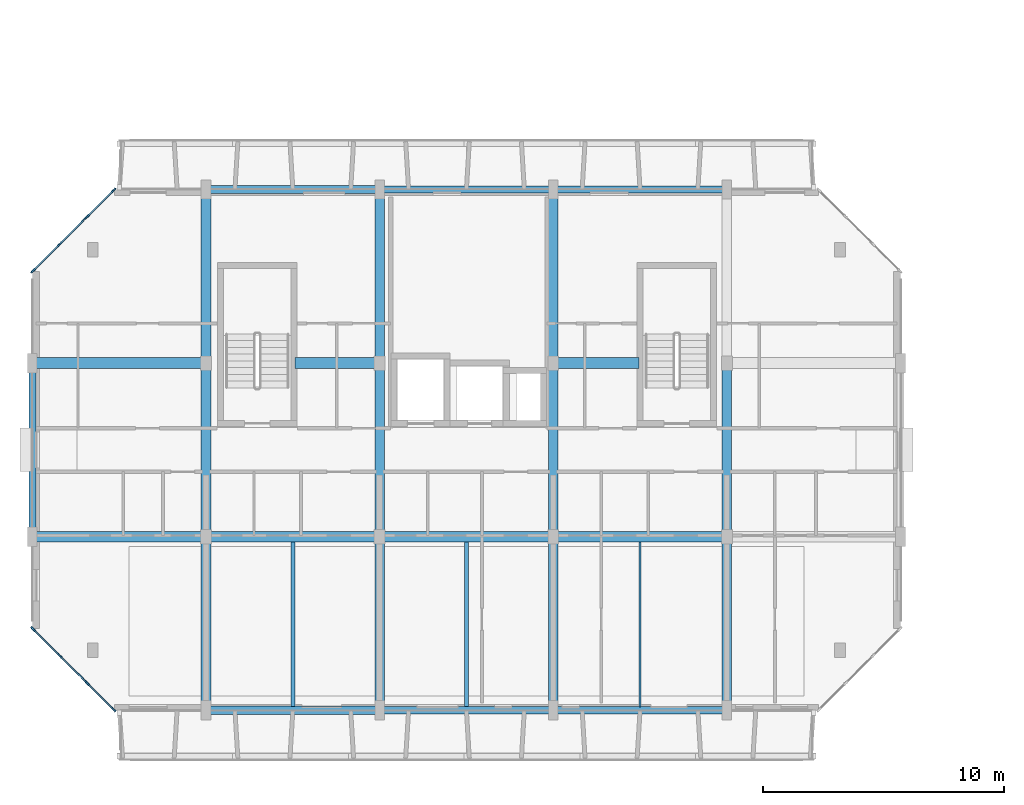
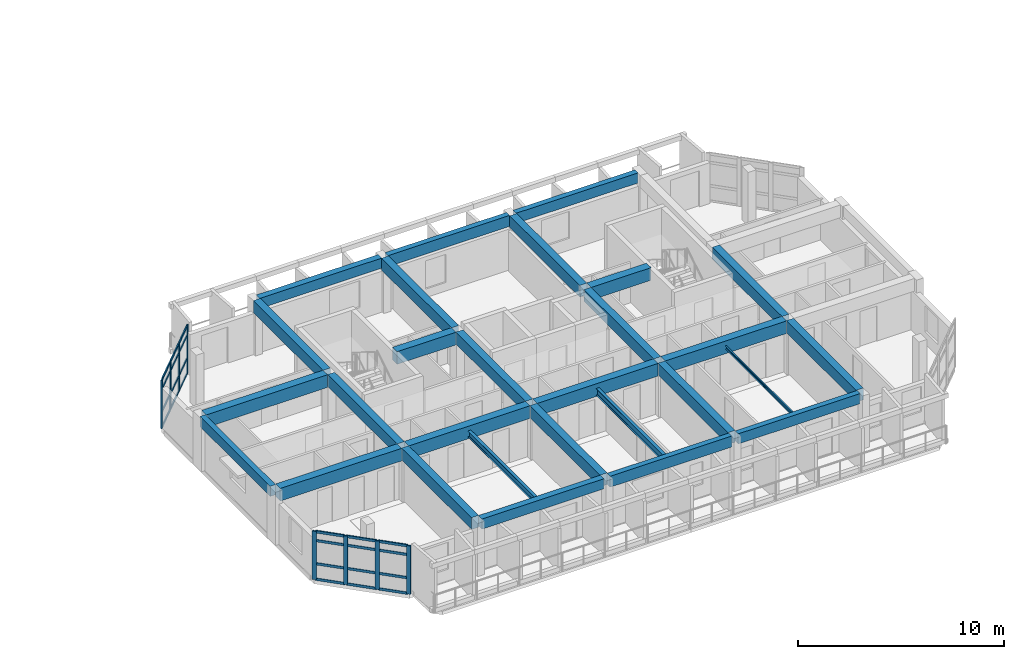
# One storey, part 3 of 45: 32 members, 28 beams, 2 elements without a shape of their own.
"""IFC4 building model written with IfcOpenShell, lengths in metres."""

from ifc_helpers import new_model, si_unit, direction, frame, origin, origin_2d, place, context, subcontext, project, spatial, rectangle, i_section, u_section, extrude, material, layer, layer_set, material_profile, profile_set, type_object, element, aggregate, save


model = new_model("IFC4")

# Units and contexts
model_context = context("Model", 3, precision=1e-05, world=origin(), true_north=direction((0.0, 1.0)))
body_context = subcontext(model_context, "Body", "Model", "MODEL_VIEW")
ifc_project = project(units=[si_unit("LENGTHUNIT", "METRE"), si_unit("AREAUNIT", "SQUARE_METRE"), si_unit("VOLUMEUNIT", "CUBIC_METRE"), si_unit("PLANEANGLEUNIT", "RADIAN"), si_unit("MASSUNIT", "GRAM", prefix="KILO")], contexts=[model_context])

# Site, building, storey
site_placement = place(None, origin())
site = spatial("IfcSite", under=ifc_project, at=site_placement, CompositionType="ELEMENT")
building_placement = place(site_placement, origin())
building = spatial("IfcBuilding", under=site, at=building_placement, Name="Ochrevale Crest", CompositionType="ELEMENT")
storey_placement = place(building_placement, frame((0.0, 0.0, 18.14990234375)))
storey = spatial("IfcBuildingStorey", under=building, at=storey_placement, Name="L05", CompositionType="ELEMENT", Elevation=18.14990234375)

# Beams
ifc_material_1 = material(Name="Precast concrete C50/60", Category="concrete")
ifc_material_profile_1 = material_profile(ifc_material_1, rectangle(XDim=0.39990234375, YDim=0.699951171875, at=origin_2d()), Name="PC 400x700")
ifc_profile_set_1 = profile_set([ifc_material_profile_1], Name="Precast concrete C50/60")
beam_type_1 = type_object("IfcBeamType", Name="BM-PC400x700", PredefinedType="BEAM", material=ifc_profile_set_1)
beam_1_placement = place(storey_placement, frame((7.199951171875, 14.580078125, 2.800048828125), z_axis=(0.0, 1.0, 0.0), x_axis=(-1.0, 0.0, 0.0)))
element("IfcBeam", 1, at=beam_1_placement, inside=storey, type_object=beam_type_1, Name="Block A L05 N-S beam X=7.2", PredefinedType="BEAM", context=body_context, shape_type="SweptSolid", body=[
    extrude(rectangle(XDim=0.39990234375, YDim=0.699951171875, at=origin_2d()), origin(), (0.0, 0.0, 1.0), 6.81494140625),
])
beam_2_placement = place(storey_placement, frame((7.199951171875, 21.804931640625, 2.800048828125), z_axis=(0.0, 1.0, 0.0), x_axis=(-1.0, 0.0, 0.0)))
element("IfcBeam", 2, at=beam_2_placement, inside=storey, type_object=beam_type_1, Name="Block A L05 N-S beam X=7.2", PredefinedType="BEAM", context=body_context, shape_type="SweptSolid", body=[
    extrude(rectangle(XDim=0.39990234375, YDim=0.699951171875, at=origin_2d()), origin(), (0.0, 0.0, 1.0), 6.7900390625),
])
beam_3_placement = place(storey_placement, frame((7.199951171875, 29.0048828125, 2.800048828125), z_axis=(0.0, 1.0, 0.0), x_axis=(-1.0, 0.0, 0.0)))
element("IfcBeam", 3, at=beam_3_placement, inside=storey, type_object=beam_type_1, Name="Block A L05 N-S beam X=7.2", PredefinedType="BEAM", context=body_context, shape_type="SweptSolid", body=[
    extrude(rectangle(XDim=0.39990234375, YDim=0.699951171875, at=origin_2d()), origin(), (0.0, 0.0, 1.0), 6.815185546875),
])
beam_4_placement = place(storey_placement, frame((14.39990234375, 14.580078125, 2.800048828125), z_axis=(0.0, 1.0, 0.0), x_axis=(-1.0, 0.0, 0.0)))
element("IfcBeam", 4, at=beam_4_placement, inside=storey, type_object=beam_type_1, Name="Block A L05 N-S beam X=14.4", PredefinedType="BEAM", context=body_context, shape_type="SweptSolid", body=[
    extrude(rectangle(XDim=0.39990234375, YDim=0.699951171875, at=origin_2d()), origin(), (0.0, 0.0, 1.0), 6.81494140625),
])
beam_5_placement = place(storey_placement, frame((14.39990234375, 21.804931640625, 2.800048828125), z_axis=(0.0, 1.0, 0.0), x_axis=(-1.0, 0.0, 0.0)))
element("IfcBeam", 5, at=beam_5_placement, inside=storey, type_object=beam_type_1, Name="Block A L05 N-S beam X=14.4", PredefinedType="BEAM", context=body_context, shape_type="SweptSolid", body=[
    extrude(rectangle(XDim=0.39990234375, YDim=0.699951171875, at=origin_2d()), origin(), (0.0, 0.0, 1.0), 6.7900390625),
])
beam_6_placement = place(storey_placement, frame((14.39990234375, 29.0048828125, 2.800048828125), z_axis=(0.0, 1.0, 0.0), x_axis=(-1.0, 0.0, 0.0)))
element("IfcBeam", 6, at=beam_6_placement, inside=storey, type_object=beam_type_1, Name="Block A L05 N-S beam X=14.4", PredefinedType="BEAM", context=body_context, shape_type="SweptSolid", body=[
    extrude(rectangle(XDim=0.39990234375, YDim=0.699951171875, at=origin_2d()), origin(), (0.0, 0.0, 1.0), 6.815185546875),
])
beam_7_placement = place(storey_placement, frame((21.60009765625, 14.580078125, 2.800048828125), z_axis=(0.0, 1.0, 0.0), x_axis=(-1.0, 0.0, 0.0)))
element("IfcBeam", 7, at=beam_7_placement, inside=storey, type_object=beam_type_1, Name="Block A L05 N-S beam X=21.6", PredefinedType="BEAM", context=body_context, shape_type="SweptSolid", body=[
    extrude(rectangle(XDim=0.39990234375, YDim=0.699951171875, at=origin_2d()), origin(), (0.0, 0.0, 1.0), 6.81494140625),
])
beam_8_placement = place(storey_placement, frame((21.60009765625, 21.804931640625, 2.800048828125), z_axis=(0.0, 1.0, 0.0), x_axis=(-1.0, 0.0, 0.0)))
element("IfcBeam", 8, at=beam_8_placement, inside=storey, type_object=beam_type_1, Name="Block A L05 N-S beam X=21.6", PredefinedType="BEAM", context=body_context, shape_type="SweptSolid", body=[
    extrude(rectangle(XDim=0.39990234375, YDim=0.699951171875, at=origin_2d()), origin(), (0.0, 0.0, 1.0), 6.7900390625),
])
beam_9_placement = place(storey_placement, frame((21.60009765625, 29.0048828125, 2.800048828125), z_axis=(0.0, 1.0, 0.0), x_axis=(-1.0, 0.0, 0.0)))
element("IfcBeam", 9, at=beam_9_placement, inside=storey, type_object=beam_type_1, Name="Block A L05 N-S beam X=21.6", PredefinedType="BEAM", context=body_context, shape_type="SweptSolid", body=[
    extrude(rectangle(XDim=0.39990234375, YDim=0.699951171875, at=origin_2d()), origin(), (0.0, 0.0, 1.0), 6.815185546875),
])
beam_10_placement = place(storey_placement, frame((28.800048828125, 14.580078125, 2.800048828125), z_axis=(0.0, 1.0, 0.0), x_axis=(-1.0, 0.0, 0.0)))
element("IfcBeam", 10, at=beam_10_placement, inside=storey, type_object=beam_type_1, Name="Block A L05 N-S beam X=28.8", PredefinedType="BEAM", context=body_context, shape_type="SweptSolid", body=[
    extrude(rectangle(XDim=0.39990234375, YDim=0.699951171875, at=origin_2d()), origin(), (0.0, 0.0, 1.0), 6.81494140625),
])
beam_11_placement = place(storey_placement, frame((28.800048828125, 21.804931640625, 2.800048828125), z_axis=(0.0, 1.0, 0.0), x_axis=(-1.0, 0.0, 0.0)))
element("IfcBeam", 11, at=beam_11_placement, inside=storey, type_object=beam_type_1, Name="Block A L05 N-S beam X=28.8", PredefinedType="BEAM", context=body_context, shape_type="SweptSolid", body=[
    extrude(rectangle(XDim=0.39990234375, YDim=0.699951171875, at=origin_2d()), origin(), (0.0, 0.0, 1.0), 6.7900390625),
])
ifc_material_2 = material(Name="Steel S355", Category="steel")
ifc_material_profile_2 = material_profile(ifc_material_2, u_section(Depth=0.199951171875, FlangeWidth=0.074951171875, WebThickness=0.006103515625, FlangeThickness=0.011962890625, FilletRadius=0.011962890625, at=origin_2d()), Name="200PFC")
ifc_profile_set_2 = profile_set([ifc_material_profile_2], Name="Steel S355")
beam_type_2 = type_object("IfcBeamType", Name="BM-PFC200", PredefinedType="JOIST", material=ifc_profile_set_2)
beam_12_placement = place(storey_placement, frame((25.199951171875, 14.5380859375, 2.775146484375), z_axis=(0.0, 1.0, 0.0), x_axis=(-1.0, 0.0, 0.0)))
element("IfcBeam", 12, at=beam_12_placement, inside=storey, type_object=beam_type_2, Name="Block A L05 composite plank trimmer beam 4", PredefinedType="JOIST", context=body_context, shape_type="SweptSolid", body=[
    extrude(u_section(Depth=0.199951171875, FlangeWidth=0.074951171875, WebThickness=0.006103515625, FlangeThickness=0.011962890625, FilletRadius=0.011962890625, at=origin_2d()), origin(), (0.0, 0.0, 1.0), 6.848876953125),
])
ifc_material_3 = material(Name="Concrete C50/60", Category="concrete")
ifc_material_profile_3 = material_profile(ifc_material_3, rectangle(XDim=0.449951171875, YDim=0.75, at=origin_2d()), Name="RC 450x750")
ifc_profile_set_3 = profile_set([ifc_material_profile_3], Name="Concrete C50/60")
beam_type_3 = type_object("IfcBeamType", Name="BM-PG450x750", PredefinedType="USERDEFINED", material=ifc_profile_set_3)
beam_13_placement = place(storey_placement, frame((0.175048828125, 21.60009765625, 2.775146484375), z_axis=(1.0, 0.0, 0.0), x_axis=(0.0, 1.0, 0.0)))
element("IfcBeam", 13, at=beam_13_placement, inside=storey, type_object=beam_type_3, Name="Block A L05 E-W beam Y=21.6", ObjectType="GIRDER", PredefinedType="USERDEFINED", context=body_context, shape_type="SweptSolid", body=[
    extrude(rectangle(XDim=0.449951171875, YDim=0.75, at=origin_2d()), origin(), (0.0, 0.0, 1.0), 6.824951171875),
])
beam_14_placement = place(storey_placement, frame((7.39990234375, 21.60009765625, 2.775146484375), z_axis=(1.0, 0.0, 0.0), x_axis=(0.0, 1.0, 0.0)))
element("IfcBeam", 14, at=beam_14_placement, inside=storey, type_object=beam_type_3, Name="Block A L05 E-W beam Y=21.6", ObjectType="GIRDER", PredefinedType="USERDEFINED", context=body_context, shape_type="SweptSolid", body=[
    extrude(rectangle(XDim=0.449951171875, YDim=0.75, at=origin_2d()), origin(), (0.0, 0.0, 1.0), 6.800048828125),
])
beam_15_placement = place(storey_placement, frame((14.60009765625, 21.60009765625, 2.775146484375), z_axis=(1.0, 0.0, 0.0), x_axis=(0.0, 1.0, 0.0)))
element("IfcBeam", 15, at=beam_15_placement, inside=storey, type_object=beam_type_3, Name="Block A L05 E-W beam Y=21.6", ObjectType="GIRDER", PredefinedType="USERDEFINED", context=body_context, shape_type="SweptSolid", body=[
    extrude(rectangle(XDim=0.449951171875, YDim=0.75, at=origin_2d()), origin(), (0.0, 0.0, 1.0), 6.7998046875),
])
beam_16_placement = place(storey_placement, frame((21.800048828125, 21.60009765625, 2.775146484375), z_axis=(1.0, 0.0, 0.0), x_axis=(0.0, 1.0, 0.0)))
element("IfcBeam", 16, at=beam_16_placement, inside=storey, type_object=beam_type_3, Name="Block A L05 E-W beam Y=21.6", ObjectType="GIRDER", PredefinedType="USERDEFINED", context=body_context, shape_type="SweptSolid", body=[
    extrude(rectangle(XDim=0.449951171875, YDim=0.75, at=origin_2d()), origin(), (0.0, 0.0, 1.0), 6.800048828125),
])
beam_17_placement = place(storey_placement, frame((0.175048828125, 28.800048828125, 2.775146484375), z_axis=(1.0, 0.0, 0.0), x_axis=(0.0, 1.0, 0.0)))
element("IfcBeam", 17, at=beam_17_placement, inside=storey, type_object=beam_type_3, Name="Block A L05 E-W beam Y=28.8", ObjectType="GIRDER", PredefinedType="USERDEFINED", context=body_context, shape_type="SweptSolid", body=[
    extrude(rectangle(XDim=0.449951171875, YDim=0.75, at=origin_2d()), origin(), (0.0, 0.0, 1.0), 6.824951171875),
])
beam_18_placement = place(storey_placement, frame((10.889892578125, 28.800048828125, 2.775146484375), z_axis=(1.0, 0.0, 0.0), x_axis=(0.0, 1.0, 0.0)))
element("IfcBeam", 18, at=beam_18_placement, inside=storey, type_object=beam_type_3, Name="Block A L05 E-W beam Y=28.8", ObjectType="GIRDER", PredefinedType="USERDEFINED", context=body_context, shape_type="SweptSolid", body=[
    extrude(rectangle(XDim=0.449951171875, YDim=0.75, at=origin_2d()), origin(), (0.0, 0.0, 1.0), 3.31005859375),
])
beam_19_placement = place(storey_placement, frame((21.800048828125, 28.800048828125, 2.775146484375), z_axis=(1.0, 0.0, 0.0), x_axis=(0.0, 1.0, 0.0)))
element("IfcBeam", 19, at=beam_19_placement, inside=storey, type_object=beam_type_3, Name="Block A L05 E-W beam Y=28.8", ObjectType="GIRDER", PredefinedType="USERDEFINED", context=body_context, shape_type="SweptSolid", body=[
    extrude(rectangle(XDim=0.449951171875, YDim=0.75, at=origin_2d()), origin(), (0.0, 0.0, 1.0), 3.35986328125),
])
ifc_material_4 = material(Name="Precast concrete C40/50", Category="concrete")
ifc_material_profile_4 = material_profile(ifc_material_4, rectangle(XDim=0.300048828125, YDim=0.60009765625, at=origin_2d()), Name="PC 300x600")
ifc_profile_set_4 = profile_set([ifc_material_profile_4], Name="Precast concrete C40/50")
beam_type_4 = type_object("IfcBeamType", Name="BM-SP300x600", PredefinedType="SPANDREL", material=ifc_profile_set_4)
for number, where, z_axis, x_axis, name in (
    (20, (21.77490234375, 14.39990234375, 2.85009765625), (1.0, 0.0, 0.0), (0.0, 1.0, 0.0), "Block A L05 E-W beam Y=14.4"),
    (21, (21.77490234375, 36.0, 2.85009765625), (1.0, 0.0, 0.0), (0.0, 1.0, 0.0), "Block A L05 E-W beam Y=36.0"),
):
    element("IfcBeam", number, at=place(storey_placement, frame(where, z_axis=z_axis, x_axis=x_axis)), inside=storey, type_object=beam_type_4, Name=name, PredefinedType="SPANDREL", context=body_context, shape_type="SweptSolid", body=[
        extrude(rectangle(XDim=0.300048828125, YDim=0.60009765625, at=origin_2d()), origin(), (0.0, 0.0, 1.0), 6.85009765625),
    ])
beam_20_placement = place(storey_placement, frame((0.0, 21.780029296875, 2.85009765625), z_axis=(0.0, 1.0, 0.0), x_axis=(-1.0, 0.0, 0.0)))
element("IfcBeam", 22, at=beam_20_placement, inside=storey, type_object=beam_type_4, Name="Block A L05 N-S beam X=0.0", PredefinedType="SPANDREL", context=body_context, shape_type="SweptSolid", body=[
    extrude(rectangle(XDim=0.300048828125, YDim=0.60009765625, at=origin_2d()), origin(), (0.0, 0.0, 1.0), 6.840087890625),
])
ifc_material_profile_5 = material_profile(ifc_material_4, rectangle(XDim=0.300048828125, YDim=0.64990234375, at=origin_2d()), Name="PC 300x650")
ifc_profile_set_5 = profile_set([ifc_material_profile_5], Name="Precast concrete C40/50")
beam_type_5 = type_object("IfcBeamType", Name="BM-SP300x650", PredefinedType="SPANDREL", material=ifc_profile_set_5)
for number, where, z_axis, x_axis, name in (
    (23, (14.574951171875, 14.39990234375, 2.8251953125), (1.0, 0.0, 0.0), (0.0, 1.0, 0.0), "Block A L05 E-W beam Y=14.4"),
    (24, (14.574951171875, 36.0, 2.8251953125), (1.0, 0.0, 0.0), (0.0, 1.0, 0.0), "Block A L05 E-W beam Y=36.0"),
):
    element("IfcBeam", number, at=place(storey_placement, frame(where, z_axis=z_axis, x_axis=x_axis)), inside=storey, type_object=beam_type_5, Name=name, PredefinedType="SPANDREL", context=body_context, shape_type="SweptSolid", body=[
        extrude(rectangle(XDim=0.300048828125, YDim=0.64990234375, at=origin_2d()), origin(), (0.0, 0.0, 1.0), 6.85009765625),
    ])
ifc_material_profile_6 = material_profile(ifc_material_4, rectangle(XDim=0.35009765625, YDim=0.60009765625, at=origin_2d()), Name="PC 350x600")
ifc_profile_set_6 = profile_set([ifc_material_profile_6], Name="Precast concrete C40/50")
beam_type_6 = type_object("IfcBeamType", Name="BM-SP350x600", PredefinedType="SPANDREL", material=ifc_profile_set_6)
for number, where, z_axis, x_axis, name in (
    (25, (7.375, 14.39990234375, 2.85009765625), (1.0, 0.0, 0.0), (0.0, 1.0, 0.0), "Block A L05 E-W beam Y=14.4"),
    (26, (7.375, 36.0, 2.85009765625), (1.0, 0.0, 0.0), (0.0, 1.0, 0.0), "Block A L05 E-W beam Y=36.0"),
):
    element("IfcBeam", number, at=place(storey_placement, frame(where, z_axis=z_axis, x_axis=x_axis)), inside=storey, type_object=beam_type_6, Name=name, PredefinedType="SPANDREL", context=body_context, shape_type="SweptSolid", body=[
        extrude(rectangle(XDim=0.35009765625, YDim=0.60009765625, at=origin_2d()), origin(), (0.0, 0.0, 1.0), 6.85009765625),
    ])
ifc_material_profile_7 = material_profile(ifc_material_2, i_section(OverallWidth=0.172119140625, OverallDepth=0.358642578125, WebThickness=0.008056640625, FlangeThickness=0.012939453125, FilletRadius=0.011474609375, at=origin_2d()), Name="360UB56.7")
ifc_profile_set_7 = profile_set([ifc_material_profile_7], Name="Steel S355")
beam_type_7 = type_object("IfcBeamType", Name="BM-UB360B", PredefinedType="BEAM", material=ifc_profile_set_7)
beam_21_placement = place(storey_placement, frame((10.800048828125, 14.56298828125, 2.69580078125), z_axis=(0.0, 1.0, 0.0), x_axis=(-1.0, 0.0, 0.0)))
element("IfcBeam", 27, at=beam_21_placement, inside=storey, type_object=beam_type_7, Name="Block A L05 composite plank trimmer beam 2", PredefinedType="BEAM", context=body_context, shape_type="SweptSolid", body=[
    extrude(i_section(OverallWidth=0.172119140625, OverallDepth=0.358642578125, WebThickness=0.008056640625, FlangeThickness=0.012939453125, FilletRadius=0.011474609375, at=origin_2d()), origin(), (0.0, 0.0, 1.0), 6.823974609375),
])
ifc_material_profile_8 = material_profile(ifc_material_2, i_section(OverallWidth=0.177734375, OverallDepth=0.402587890625, WebThickness=0.007568359375, FlangeThickness=0.010986328125, FilletRadius=0.011474609375, at=origin_2d()), Name="410UB53.7")
ifc_profile_set_8 = profile_set([ifc_material_profile_8], Name="Steel S355")
beam_type_8 = type_object("IfcBeamType", Name="BM-UB410A", PredefinedType="BEAM", material=ifc_profile_set_8)
beam_22_placement = place(storey_placement, frame((18.0, 14.5380859375, 2.673828125), z_axis=(0.0, 1.0, 0.0), x_axis=(-1.0, 0.0, 0.0)))
element("IfcBeam", 28, at=beam_22_placement, inside=storey, type_object=beam_type_8, Name="Block A L05 composite plank trimmer beam 3", PredefinedType="BEAM", context=body_context, shape_type="SweptSolid", body=[
    extrude(i_section(OverallWidth=0.177734375, OverallDepth=0.402587890625, WebThickness=0.007568359375, FlangeThickness=0.010986328125, FilletRadius=0.011474609375, at=origin_2d()), origin(), (0.0, 0.0, 1.0), 6.848876953125),
])

# Curtain wall, members
ifc_material_5 = material(Name="Anodised aluminium 6063-T5", Category="aluminium")
ifc_layer_1 = layer(ifc_material_5, 0.14990234375)
ifc_layer_set_1 = layer_set([ifc_layer_1], Name="Anodised aluminium 6063-T5")
curtain_wall_type_1 = type_object("IfcCurtainWallType", Name="CW-WG-280x285", PredefinedType="NOTDEFINED", material=ifc_layer_set_1)
curtain_wall_1_placement = place(storey_placement, origin())
curtain_wall_1 = element("IfcCurtainWall", 29, at=curtain_wall_1_placement, inside=storey, type_object=curtain_wall_type_1, Name="Block A L05 chamfered corner wintergarden curtain wall 6", PredefinedType="NOTDEFINED")
ifc_material_profile_9 = material_profile(ifc_material_5, rectangle(XDim=0.074951171875, YDim=0.219970703125, at=origin_2d()), Name="ALU 75x220")
ifc_profile_set_9 = profile_set([ifc_material_profile_9], Name="Anodised aluminium 6063-T5")
member_type_1 = type_object("IfcMemberType", Name="CW-MUL-75x220", PredefinedType="MULLION", material=ifc_profile_set_9)
member_1_placement = place(storey_placement, frame((3.37353515625, 35.973388671875, 0.0), z_axis=(0.0, 0.0, 1.0), x_axis=(0.707106781187, -0.707106781187, 0.0)))
member_1 = element("IfcMember", 30, at=member_1_placement, type_object=member_type_1, Name="CW16 mullion 1", PredefinedType="MULLION", context=body_context, shape_type="SweptSolid", body=[
    extrude(rectangle(XDim=0.074951171875, YDim=0.219970703125, at=origin_2d()), origin(), (0.0, 0.0, 1.0), 2.875),
])
member_2_placement = place(storey_placement, frame((2.2666015625, 34.86669921875, 0.0), z_axis=(0.0, 0.0, 1.0), x_axis=(0.707106781187, -0.707106781187, 0.0)))
member_2 = element("IfcMember", 31, at=member_2_placement, type_object=member_type_1, Name="CW16 mullion 2", PredefinedType="MULLION", context=body_context, shape_type="SweptSolid", body=[
    extrude(rectangle(XDim=0.074951171875, YDim=0.219970703125, at=origin_2d()), origin(), (0.0, 0.0, 1.0), 2.875),
])
member_3_placement = place(storey_placement, frame((1.13330078125, 33.7333984375, 0.0), z_axis=(0.0, 0.0, 1.0), x_axis=(0.707106781187, -0.707106781187, 0.0)))
member_3 = element("IfcMember", 32, at=member_3_placement, type_object=member_type_1, Name="CW16 mullion 3", PredefinedType="MULLION", context=body_context, shape_type="SweptSolid", body=[
    extrude(rectangle(XDim=0.074951171875, YDim=0.219970703125, at=origin_2d()), origin(), (0.0, 0.0, 1.0), 2.875),
])
member_4_placement = place(storey_placement, frame((0.026611328125, 32.62646484375, 0.0), z_axis=(0.0, 0.0, 1.0), x_axis=(0.707106781187, -0.707106781187, 0.0)))
member_4 = element("IfcMember", 33, at=member_4_placement, type_object=member_type_1, Name="CW16 mullion 4", PredefinedType="MULLION", context=body_context, shape_type="SweptSolid", body=[
    extrude(rectangle(XDim=0.074951171875, YDim=0.219970703125, at=origin_2d()), origin(), (0.0, 0.0, 1.0), 2.875),
])

ifc_layer_2 = layer(ifc_material_5, 0.14990234375)
ifc_layer_set_2 = layer_set([ifc_layer_2], Name="Anodised aluminium 6063-T5")
curtain_wall_type_2 = type_object("IfcCurtainWallType", Name="CW-WG-360x285", PredefinedType="NOTDEFINED", material=ifc_layer_set_2)
curtain_wall_2_placement = place(storey_placement, origin())
curtain_wall_2 = element("IfcCurtainWall", 34, at=curtain_wall_2_placement, inside=storey, type_object=curtain_wall_type_2, Name="Block A L05 chamfered corner wintergarden curtain wall 8", PredefinedType="NOTDEFINED")
member_5_placement = place(storey_placement, frame((0.026611328125, 17.7734375, 0.0), z_axis=(0.0, 0.0, 1.0), x_axis=(0.707106781187, 0.707106781187, 0.0)))
member_5 = element("IfcMember", 35, at=member_5_placement, type_object=member_type_1, Name="CW18 mullion 1", PredefinedType="MULLION", context=body_context, shape_type="SweptSolid", body=[
    extrude(rectangle(XDim=0.074951171875, YDim=0.219970703125, at=origin_2d()), origin(), (0.0, 0.0, 1.0), 2.875),
])
member_6_placement = place(storey_placement, frame((1.13330078125, 16.666748046875, 0.0), z_axis=(0.0, 0.0, 1.0), x_axis=(0.707106781187, 0.707106781187, 0.0)))
member_6 = element("IfcMember", 36, at=member_6_placement, type_object=member_type_1, Name="CW18 mullion 2", PredefinedType="MULLION", context=body_context, shape_type="SweptSolid", body=[
    extrude(rectangle(XDim=0.074951171875, YDim=0.219970703125, at=origin_2d()), origin(), (0.0, 0.0, 1.0), 2.875),
])
member_7_placement = place(storey_placement, frame((2.2666015625, 15.533447265625, 0.0), z_axis=(0.0, 0.0, 1.0), x_axis=(0.707106781187, 0.707106781187, 0.0)))
member_7 = element("IfcMember", 37, at=member_7_placement, type_object=member_type_1, Name="CW18 mullion 3", PredefinedType="MULLION", context=body_context, shape_type="SweptSolid", body=[
    extrude(rectangle(XDim=0.074951171875, YDim=0.219970703125, at=origin_2d()), origin(), (0.0, 0.0, 1.0), 2.875),
])
member_8_placement = place(storey_placement, frame((3.37353515625, 14.426513671875, 0.0), z_axis=(0.0, 0.0, 1.0), x_axis=(0.707106781187, 0.707106781187, 0.0)))
member_8 = element("IfcMember", 38, at=member_8_placement, type_object=member_type_1, Name="CW18 mullion 4", PredefinedType="MULLION", context=body_context, shape_type="SweptSolid", body=[
    extrude(rectangle(XDim=0.074951171875, YDim=0.219970703125, at=origin_2d()), origin(), (0.0, 0.0, 1.0), 2.875),
])

# Member
ifc_material_profile_10 = material_profile(ifc_material_5, rectangle(XDim=0.06005859375, YDim=0.14990234375, at=origin_2d()), Name="ALU 60x150")
ifc_profile_set_10 = profile_set([ifc_material_profile_10], Name="Anodised aluminium 6063-T5")
member_type_2 = type_object("IfcMemberType", Name="CW-TRN-60x150", PredefinedType="USERDEFINED", material=ifc_profile_set_10)
member_9_placement = place(storey_placement, frame((3.346923828125, 35.947021484375, 0.030029296875), z_axis=(-0.70702486902, -0.707188683865, 0.0), x_axis=(0.707188683865, -0.70702486902, 0.0)))
member_9 = element("IfcMember", 39, at=member_9_placement, type_object=member_type_2, Name="CW16 transom 1.1", ObjectType="TRANSOM", PredefinedType="USERDEFINED", context=body_context, shape_type="SweptSolid", body=[
    extrude(rectangle(XDim=0.06005859375, YDim=0.14990234375, at=origin_2d()), origin(), (0.0, 0.0, 1.0), 1.490234375),
])

member_10_placement = place(storey_placement, frame((3.346923828125, 35.947021484375, 0.9501953125), z_axis=(-0.70702486902, -0.707188683865, 0.0), x_axis=(0.707188683865, -0.70702486902, 0.0)))
member_10 = element("IfcMember", 40, at=member_10_placement, type_object=member_type_2, Name="CW16 transom 1.2", ObjectType="TRANSOM", PredefinedType="USERDEFINED", context=body_context, shape_type="SweptSolid", body=[
    extrude(rectangle(XDim=0.06005859375, YDim=0.14990234375, at=origin_2d()), origin(), (0.0, 0.0, 1.0), 1.490234375),
])

member_11_placement = place(storey_placement, frame((3.346923828125, 35.947021484375, 2.3251953125), z_axis=(-0.70702486902, -0.707188683865, 0.0), x_axis=(0.707188683865, -0.70702486902, 0.0)))
member_11 = element("IfcMember", 41, at=member_11_placement, type_object=member_type_2, Name="CW16 transom 1.3", ObjectType="TRANSOM", PredefinedType="USERDEFINED", context=body_context, shape_type="SweptSolid", body=[
    extrude(rectangle(XDim=0.06005859375, YDim=0.14990234375, at=origin_2d()), origin(), (0.0, 0.0, 1.0), 1.490234375),
])

member_12_placement = place(storey_placement, frame((3.346923828125, 35.947021484375, 2.84521484375), z_axis=(-0.70702486902, -0.707188683865, 0.0), x_axis=(0.707188683865, -0.70702486902, 0.0)))
member_12 = element("IfcMember", 42, at=member_12_placement, type_object=member_type_2, Name="CW16 transom 1.4", ObjectType="TRANSOM", PredefinedType="USERDEFINED", context=body_context, shape_type="SweptSolid", body=[
    extrude(rectangle(XDim=0.06005859375, YDim=0.14990234375, at=origin_2d()), origin(), (0.0, 0.0, 1.0), 1.490234375),
])

member_13_placement = place(storey_placement, frame((2.240234375, 34.840087890625, 0.030029296875), z_axis=(-0.707106781187, -0.707106781187, 0.0), x_axis=(0.707106781187, -0.707106781187, 0.0)))
member_13 = element("IfcMember", 43, at=member_13_placement, type_object=member_type_2, Name="CW16 transom 2.1", ObjectType="TRANSOM", PredefinedType="USERDEFINED", context=body_context, shape_type="SweptSolid", body=[
    extrude(rectangle(XDim=0.06005859375, YDim=0.14990234375, at=origin_2d()), origin(), (0.0, 0.0, 1.0), 1.52783203125),
])

member_14_placement = place(storey_placement, frame((2.240234375, 34.840087890625, 0.9501953125), z_axis=(-0.707106781187, -0.707106781187, 0.0), x_axis=(0.707106781187, -0.707106781187, 0.0)))
member_14 = element("IfcMember", 44, at=member_14_placement, type_object=member_type_2, Name="CW16 transom 2.2", ObjectType="TRANSOM", PredefinedType="USERDEFINED", context=body_context, shape_type="SweptSolid", body=[
    extrude(rectangle(XDim=0.06005859375, YDim=0.14990234375, at=origin_2d()), origin(), (0.0, 0.0, 1.0), 1.52783203125),
])

member_15_placement = place(storey_placement, frame((2.240234375, 34.840087890625, 2.3251953125), z_axis=(-0.707106781187, -0.707106781187, 0.0), x_axis=(0.707106781187, -0.707106781187, 0.0)))
member_15 = element("IfcMember", 45, at=member_15_placement, type_object=member_type_2, Name="CW16 transom 2.3", ObjectType="TRANSOM", PredefinedType="USERDEFINED", context=body_context, shape_type="SweptSolid", body=[
    extrude(rectangle(XDim=0.06005859375, YDim=0.14990234375, at=origin_2d()), origin(), (0.0, 0.0, 1.0), 1.52783203125),
])

member_16_placement = place(storey_placement, frame((2.240234375, 34.840087890625, 2.84521484375), z_axis=(-0.707106781187, -0.707106781187, 0.0), x_axis=(0.707106781187, -0.707106781187, 0.0)))
member_16 = element("IfcMember", 46, at=member_16_placement, type_object=member_type_2, Name="CW16 transom 2.4", ObjectType="TRANSOM", PredefinedType="USERDEFINED", context=body_context, shape_type="SweptSolid", body=[
    extrude(rectangle(XDim=0.06005859375, YDim=0.14990234375, at=origin_2d()), origin(), (0.0, 0.0, 1.0), 1.52783203125),
])

member_17_placement = place(storey_placement, frame((1.10693359375, 33.706787109375, 0.030029296875), z_axis=(-0.707188683865, -0.70702486902, 0.0), x_axis=(0.70702486902, -0.707188683865, 0.0)))
member_17 = element("IfcMember", 47, at=member_17_placement, type_object=member_type_2, Name="CW16 transom 3.1", ObjectType="TRANSOM", PredefinedType="USERDEFINED", context=body_context, shape_type="SweptSolid", body=[
    extrude(rectangle(XDim=0.06005859375, YDim=0.14990234375, at=origin_2d()), origin(), (0.0, 0.0, 1.0), 1.490234375),
])

member_18_placement = place(storey_placement, frame((1.10693359375, 33.706787109375, 0.9501953125), z_axis=(-0.707188683865, -0.70702486902, 0.0), x_axis=(0.70702486902, -0.707188683865, 0.0)))
member_18 = element("IfcMember", 48, at=member_18_placement, type_object=member_type_2, Name="CW16 transom 3.2", ObjectType="TRANSOM", PredefinedType="USERDEFINED", context=body_context, shape_type="SweptSolid", body=[
    extrude(rectangle(XDim=0.06005859375, YDim=0.14990234375, at=origin_2d()), origin(), (0.0, 0.0, 1.0), 1.490234375),
])

member_19_placement = place(storey_placement, frame((1.10693359375, 33.706787109375, 2.3251953125), z_axis=(-0.707188683865, -0.70702486902, 0.0), x_axis=(0.70702486902, -0.707188683865, 0.0)))
member_19 = element("IfcMember", 49, at=member_19_placement, type_object=member_type_2, Name="CW16 transom 3.3", ObjectType="TRANSOM", PredefinedType="USERDEFINED", context=body_context, shape_type="SweptSolid", body=[
    extrude(rectangle(XDim=0.06005859375, YDim=0.14990234375, at=origin_2d()), origin(), (0.0, 0.0, 1.0), 1.490234375),
])

member_20_placement = place(storey_placement, frame((1.10693359375, 33.706787109375, 2.84521484375), z_axis=(-0.707188683865, -0.70702486902, 0.0), x_axis=(0.70702486902, -0.707188683865, 0.0)))
member_20 = element("IfcMember", 50, at=member_20_placement, type_object=member_type_2, Name="CW16 transom 3.4", ObjectType="TRANSOM", PredefinedType="USERDEFINED", context=body_context, shape_type="SweptSolid", body=[
    extrude(rectangle(XDim=0.06005859375, YDim=0.14990234375, at=origin_2d()), origin(), (0.0, 0.0, 1.0), 1.490234375),
])

aggregate(curtain_wall_1, [member_1, member_2, member_3, member_4, member_9, member_10, member_11, member_12, member_13, member_14, member_15, member_16, member_17, member_18, member_19, member_20])

member_21_placement = place(storey_placement, frame((0.052978515625, 17.7470703125, 0.030029296875), z_axis=(0.707106781187, -0.707106781187, 0.0), x_axis=(0.707106781187, 0.707106781187, 0.0)))
member_21 = element("IfcMember", 51, at=member_21_placement, type_object=member_type_2, Name="CW18 transom 1.1", ObjectType="TRANSOM", PredefinedType="USERDEFINED", context=body_context, shape_type="SweptSolid", body=[
    extrude(rectangle(XDim=0.06005859375, YDim=0.14990234375, at=origin_2d()), origin(), (0.0, 0.0, 1.0), 1.490478515625),
])

member_22_placement = place(storey_placement, frame((0.052978515625, 17.7470703125, 0.9501953125), z_axis=(0.707106781187, -0.707106781187, 0.0), x_axis=(0.707106781187, 0.707106781187, 0.0)))
member_22 = element("IfcMember", 52, at=member_22_placement, type_object=member_type_2, Name="CW18 transom 1.2", ObjectType="TRANSOM", PredefinedType="USERDEFINED", context=body_context, shape_type="SweptSolid", body=[
    extrude(rectangle(XDim=0.06005859375, YDim=0.14990234375, at=origin_2d()), origin(), (0.0, 0.0, 1.0), 1.490478515625),
])

member_23_placement = place(storey_placement, frame((0.052978515625, 17.7470703125, 2.3251953125), z_axis=(0.707106781187, -0.707106781187, 0.0), x_axis=(0.707106781187, 0.707106781187, 0.0)))
member_23 = element("IfcMember", 53, at=member_23_placement, type_object=member_type_2, Name="CW18 transom 1.3", ObjectType="TRANSOM", PredefinedType="USERDEFINED", context=body_context, shape_type="SweptSolid", body=[
    extrude(rectangle(XDim=0.06005859375, YDim=0.14990234375, at=origin_2d()), origin(), (0.0, 0.0, 1.0), 1.490478515625),
])

member_24_placement = place(storey_placement, frame((0.052978515625, 17.7470703125, 2.84521484375), z_axis=(0.707106781187, -0.707106781187, 0.0), x_axis=(0.707106781187, 0.707106781187, 0.0)))
member_24 = element("IfcMember", 54, at=member_24_placement, type_object=member_type_2, Name="CW18 transom 1.4", ObjectType="TRANSOM", PredefinedType="USERDEFINED", context=body_context, shape_type="SweptSolid", body=[
    extrude(rectangle(XDim=0.06005859375, YDim=0.14990234375, at=origin_2d()), origin(), (0.0, 0.0, 1.0), 1.490478515625),
])

member_25_placement = place(storey_placement, frame((1.159912109375, 16.64013671875, 0.030029296875), z_axis=(0.707106781187, -0.707106781187, 0.0), x_axis=(0.707106781187, 0.707106781187, 0.0)))
member_25 = element("IfcMember", 55, at=member_25_placement, type_object=member_type_2, Name="CW18 transom 2.1", ObjectType="TRANSOM", PredefinedType="USERDEFINED", context=body_context, shape_type="SweptSolid", body=[
    extrude(rectangle(XDim=0.06005859375, YDim=0.14990234375, at=origin_2d()), origin(), (0.0, 0.0, 1.0), 1.52783203125),
])

member_26_placement = place(storey_placement, frame((1.159912109375, 16.64013671875, 0.9501953125), z_axis=(0.707106781187, -0.707106781187, 0.0), x_axis=(0.707106781187, 0.707106781187, 0.0)))
member_26 = element("IfcMember", 56, at=member_26_placement, type_object=member_type_2, Name="CW18 transom 2.2", ObjectType="TRANSOM", PredefinedType="USERDEFINED", context=body_context, shape_type="SweptSolid", body=[
    extrude(rectangle(XDim=0.06005859375, YDim=0.14990234375, at=origin_2d()), origin(), (0.0, 0.0, 1.0), 1.52783203125),
])

member_27_placement = place(storey_placement, frame((1.159912109375, 16.64013671875, 2.3251953125), z_axis=(0.707106781187, -0.707106781187, 0.0), x_axis=(0.707106781187, 0.707106781187, 0.0)))
member_27 = element("IfcMember", 57, at=member_27_placement, type_object=member_type_2, Name="CW18 transom 2.3", ObjectType="TRANSOM", PredefinedType="USERDEFINED", context=body_context, shape_type="SweptSolid", body=[
    extrude(rectangle(XDim=0.06005859375, YDim=0.14990234375, at=origin_2d()), origin(), (0.0, 0.0, 1.0), 1.52783203125),
])

member_28_placement = place(storey_placement, frame((1.159912109375, 16.64013671875, 2.84521484375), z_axis=(0.707106781187, -0.707106781187, 0.0), x_axis=(0.707106781187, 0.707106781187, 0.0)))
member_28 = element("IfcMember", 58, at=member_28_placement, type_object=member_type_2, Name="CW18 transom 2.4", ObjectType="TRANSOM", PredefinedType="USERDEFINED", context=body_context, shape_type="SweptSolid", body=[
    extrude(rectangle(XDim=0.06005859375, YDim=0.14990234375, at=origin_2d()), origin(), (0.0, 0.0, 1.0), 1.52783203125),
])

member_29_placement = place(storey_placement, frame((2.293212890625, 15.5068359375, 0.030029296875), z_axis=(0.707106781187, -0.707106781187, 0.0), x_axis=(0.707106781187, 0.707106781187, 0.0)))
member_29 = element("IfcMember", 59, at=member_29_placement, type_object=member_type_2, Name="CW18 transom 3.1", ObjectType="TRANSOM", PredefinedType="USERDEFINED", context=body_context, shape_type="SweptSolid", body=[
    extrude(rectangle(XDim=0.06005859375, YDim=0.14990234375, at=origin_2d()), origin(), (0.0, 0.0, 1.0), 1.490234375),
])

member_30_placement = place(storey_placement, frame((2.293212890625, 15.5068359375, 0.9501953125), z_axis=(0.707106781187, -0.707106781187, 0.0), x_axis=(0.707106781187, 0.707106781187, 0.0)))
member_30 = element("IfcMember", 60, at=member_30_placement, type_object=member_type_2, Name="CW18 transom 3.2", ObjectType="TRANSOM", PredefinedType="USERDEFINED", context=body_context, shape_type="SweptSolid", body=[
    extrude(rectangle(XDim=0.06005859375, YDim=0.14990234375, at=origin_2d()), origin(), (0.0, 0.0, 1.0), 1.490234375),
])

member_31_placement = place(storey_placement, frame((2.293212890625, 15.5068359375, 2.3251953125), z_axis=(0.707106781187, -0.707106781187, 0.0), x_axis=(0.707106781187, 0.707106781187, 0.0)))
member_31 = element("IfcMember", 61, at=member_31_placement, type_object=member_type_2, Name="CW18 transom 3.3", ObjectType="TRANSOM", PredefinedType="USERDEFINED", context=body_context, shape_type="SweptSolid", body=[
    extrude(rectangle(XDim=0.06005859375, YDim=0.14990234375, at=origin_2d()), origin(), (0.0, 0.0, 1.0), 1.490234375),
])

member_32_placement = place(storey_placement, frame((2.293212890625, 15.5068359375, 2.84521484375), z_axis=(0.707106781187, -0.707106781187, 0.0), x_axis=(0.707106781187, 0.707106781187, 0.0)))
member_32 = element("IfcMember", 62, at=member_32_placement, type_object=member_type_2, Name="CW18 transom 3.4", ObjectType="TRANSOM", PredefinedType="USERDEFINED", context=body_context, shape_type="SweptSolid", body=[
    extrude(rectangle(XDim=0.06005859375, YDim=0.14990234375, at=origin_2d()), origin(), (0.0, 0.0, 1.0), 1.490234375),
])

aggregate(curtain_wall_2, [member_5, member_6, member_7, member_8, member_21, member_22, member_23, member_24, member_25, member_26, member_27, member_28, member_29, member_30, member_31, member_32])

save(model, "model.ifc")
